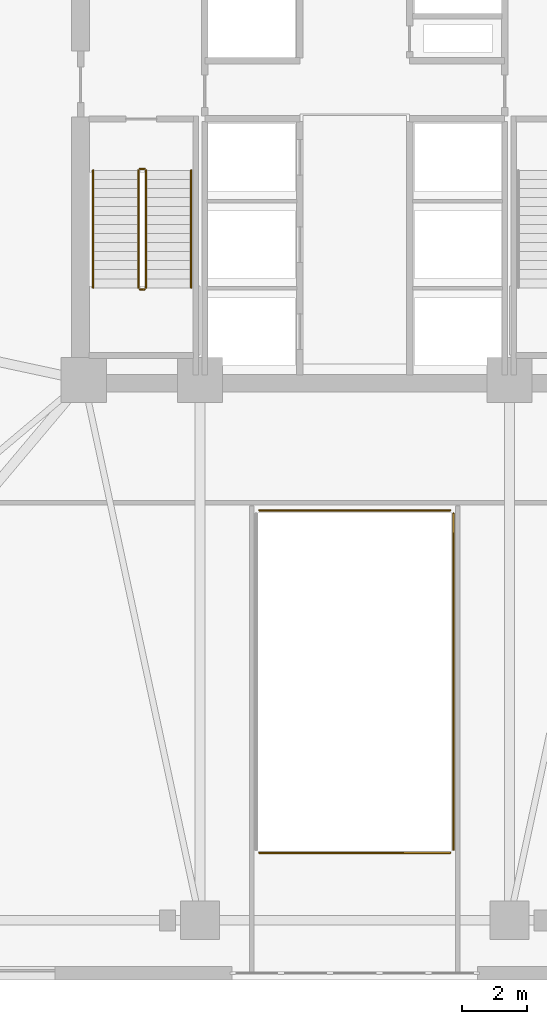
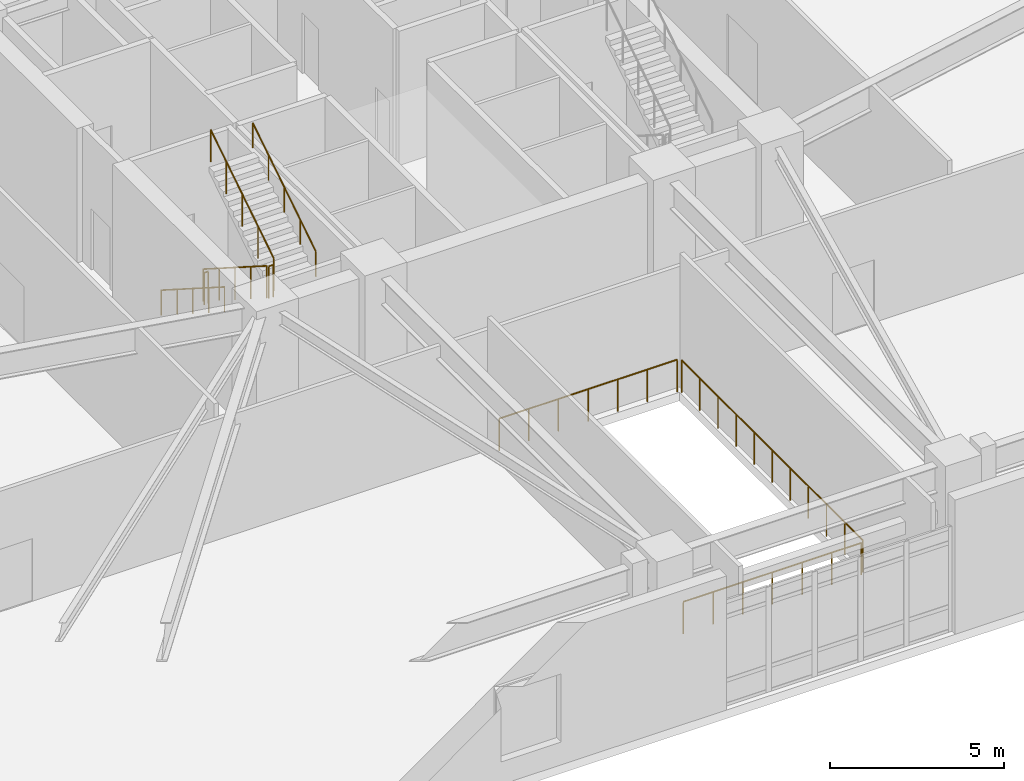
# One storey, part 16 of 20: 9 railings.
"""IFC4 building model written with IfcOpenShell, lengths in metres."""

from ifc_helpers import new_model, si_unit, direction, frame, origin, origin_2d, place, context, subcontext, project, spatial, circle, extrude, material, type_object, element, save


model = new_model("IFC4")

# Units and contexts
model_context = context("Model", 3, precision=1e-05, world=origin(), true_north=direction((0.0, 1.0)))
body_context = subcontext(model_context, "Body", "Model", "MODEL_VIEW")
ifc_project = project(units=[si_unit("LENGTHUNIT", "METRE"), si_unit("AREAUNIT", "SQUARE_METRE"), si_unit("VOLUMEUNIT", "CUBIC_METRE"), si_unit("PLANEANGLEUNIT", "RADIAN"), si_unit("MASSUNIT", "GRAM", prefix="KILO")], contexts=[model_context])

# Site, building, storey
site_placement = place(None, origin())
site = spatial("IfcSite", under=ifc_project, at=site_placement, CompositionType="ELEMENT")
building_placement = place(site_placement, origin())
building = spatial("IfcBuilding", under=site, at=building_placement, Name="Cairnveth Concourse Tower", CompositionType="ELEMENT")
storey_placement = place(building_placement, frame((0.0, 0.0, 5.0)))
storey = spatial("IfcBuildingStorey", under=building, at=storey_placement, Name="L01", CompositionType="ELEMENT", Elevation=5.0)

# Railings
ifc_material_1 = material(Name="Architectural Bronze Anodised Aluminium 6063-T6", Category="aluminium")
railing_type_1 = type_object("IfcRailingType", Name="ATRIUM BRONZE BALUSTRADE 1150", PredefinedType="BALUSTRADE", material=ifc_material_1)
railing_1_placement = place(storey_placement, frame((49.0400390625, 15.93994140625, 0.0)))
element("IfcRailing", 1, at=railing_1_placement, inside=storey, type_object=railing_type_1, Name="Concourse Galleria Mezzanine Balustrade S L01", PredefinedType="BALUSTRADE", context=body_context, shape_type="SweptSolid", body=[
    extrude(circle(Radius=0.02490234375, at=origin_2d()), frame((0.0, 0.0, 1.125), z_axis=(1.0, 0.0, 0.0), x_axis=(0.0, 1.0, 0.0)), (0.0, 0.0, 1.0), 5.919921875),
    extrude(circle(Radius=0.02099609375, at=origin_2d()), origin(), (0.0, 0.0, 1.0), 1.099853515625),
    extrude(circle(Radius=0.02099609375, at=origin_2d()), frame((0.986572265625, 0.0, 0.0)), (0.0, 0.0, 1.0), 1.099853515625),
    extrude(circle(Radius=0.02099609375, at=origin_2d()), frame((1.973388671875, 0.0, 0.0)), (0.0, 0.0, 1.0), 1.099853515625),
    extrude(circle(Radius=0.02099609375, at=origin_2d()), frame((2.9599609375, 0.0, 0.0)), (0.0, 0.0, 1.0), 1.099853515625),
    extrude(circle(Radius=0.02099609375, at=origin_2d()), frame((3.946533203125, 0.0, 0.0)), (0.0, 0.0, 1.0), 1.099853515625),
    extrude(circle(Radius=0.02099609375, at=origin_2d()), frame((4.933349609375, 0.0, 0.0)), (0.0, 0.0, 1.0), 1.099853515625),
    extrude(circle(Radius=0.02099609375, at=origin_2d()), frame((5.919921875, 0.0, 0.0)), (0.0, 0.0, 1.0), 1.099853515625),
])
railing_2_placement = place(storey_placement, frame((55.06005859375, 16.0400390625, 0.0)))
element("IfcRailing", 2, at=railing_2_placement, inside=storey, type_object=railing_type_1, Name="Concourse Galleria Mezzanine Balustrade E L01", PredefinedType="BALUSTRADE", context=body_context, shape_type="SweptSolid", body=[
    extrude(circle(Radius=0.02490234375, at=origin_2d()), frame((0.0, 0.0, 1.125), z_axis=(0.0, 1.0, 0.0), x_axis=(-1.0, 0.0, 0.0)), (0.0, 0.0, 1.0), 10.419921875),
    extrude(circle(Radius=0.02099609375, at=origin_2d()), origin(), (0.0, 0.0, 1.0), 1.099853515625),
    extrude(circle(Radius=0.02099609375, at=origin_2d()), frame((0.0, 1.0419921875, 0.0)), (0.0, 0.0, 1.0), 1.099853515625),
    extrude(circle(Radius=0.02099609375, at=origin_2d()), frame((0.0, 2.083984375, 0.0)), (0.0, 0.0, 1.0), 1.099853515625),
    extrude(circle(Radius=0.02099609375, at=origin_2d()), frame((0.0, 3.1259765625, 0.0)), (0.0, 0.0, 1.0), 1.099853515625),
    extrude(circle(Radius=0.02099609375, at=origin_2d()), frame((0.0, 4.16796875, 0.0)), (0.0, 0.0, 1.0), 1.099853515625),
    extrude(circle(Radius=0.02099609375, at=origin_2d()), frame((0.0, 5.2099609375, 0.0)), (0.0, 0.0, 1.0), 1.099853515625),
    extrude(circle(Radius=0.02099609375, at=origin_2d()), frame((0.0, 6.251953125, 0.0)), (0.0, 0.0, 1.0), 1.099853515625),
    extrude(circle(Radius=0.02099609375, at=origin_2d()), frame((0.0, 7.2939453125, 0.0)), (0.0, 0.0, 1.0), 1.099853515625),
    extrude(circle(Radius=0.02099609375, at=origin_2d()), frame((0.0, 8.3359375, 0.0)), (0.0, 0.0, 1.0), 1.099853515625),
    extrude(circle(Radius=0.02099609375, at=origin_2d()), frame((0.0, 9.3779296875, 0.0)), (0.0, 0.0, 1.0), 1.099853515625),
    extrude(circle(Radius=0.02099609375, at=origin_2d()), frame((0.0, 10.419921875, 0.0)), (0.0, 0.0, 1.0), 1.099853515625),
])
railing_3_placement = place(storey_placement, frame((54.9599609375, 26.56005859375, 0.0)))
element("IfcRailing", 3, at=railing_3_placement, inside=storey, type_object=railing_type_1, Name="Concourse Galleria Mezzanine Balustrade N L01", PredefinedType="BALUSTRADE", context=body_context, shape_type="SweptSolid", body=[
    extrude(circle(Radius=0.02490234375, at=origin_2d()), frame((0.0, 0.0, 1.125), z_axis=(-1.0, 0.0, 0.0), x_axis=(0.0, -1.0, 0.0)), (0.0, 0.0, 1.0), 5.919921875),
    extrude(circle(Radius=0.02099609375, at=origin_2d()), origin(), (0.0, 0.0, 1.0), 1.099853515625),
    extrude(circle(Radius=0.02099609375, at=origin_2d()), frame((-0.986572265625, 0.0, 0.0)), (0.0, 0.0, 1.0), 1.099853515625),
    extrude(circle(Radius=0.02099609375, at=origin_2d()), frame((-1.973388671875, 0.0, 0.0)), (0.0, 0.0, 1.0), 1.099853515625),
    extrude(circle(Radius=0.02099609375, at=origin_2d()), frame((-2.9599609375, 0.0, 0.0)), (0.0, 0.0, 1.0), 1.099853515625),
    extrude(circle(Radius=0.02099609375, at=origin_2d()), frame((-3.946533203125, 0.0, 0.0)), (0.0, 0.0, 1.0), 1.099853515625),
    extrude(circle(Radius=0.02099609375, at=origin_2d()), frame((-4.933349609375, 0.0, 0.0)), (0.0, 0.0, 1.0), 1.099853515625),
    extrude(circle(Radius=0.02099609375, at=origin_2d()), frame((-5.919921875, 0.0, 0.0)), (0.0, 0.0, 1.0), 1.099853515625),
])
ifc_material_2 = material(Name="Steel Grade 350", Category="steel")
railing_type_2 = type_object("IfcRailingType", Name="STAIR GUARDRAIL 1150", PredefinedType="GUARDRAIL", material=ifc_material_2)
railing_4_placement = place(storey_placement, frame((45.2900390625, 37.10009765625, 0.178466796875)))
element("IfcRailing", 4, at=railing_4_placement, inside=storey, type_object=railing_type_2, Name="L01 ST-1 stair guard 1", PredefinedType="GUARDRAIL", context=body_context, shape_type="SweptSolid", body=[
    extrude(circle(Radius=0.02392578125, at=origin_2d()), frame((0.0, 0.0, 1.1259765625), z_axis=(0.0, -0.843127859045, 0.537713132908), x_axis=(1.0, 0.0, 0.0)), (0.0, 0.0, 1.0), 4.3173828125),
    extrude(circle(Radius=0.02099609375, at=origin_2d()), origin(), (0.0, 0.0, 1.0), 1.101806640625),
    extrude(circle(Radius=0.02099609375, at=origin_2d()), frame((0.0, -0.91015625, 0.580322265625)), (0.0, 0.0, 1.0), 1.101806640625),
    extrude(circle(Radius=0.02099609375, at=origin_2d()), frame((0.0, -1.820068359375, 1.16064453125)), (0.0, 0.0, 1.0), 1.101806640625),
    extrude(circle(Radius=0.02099609375, at=origin_2d()), frame((0.0, -2.72998046875, 1.7412109375)), (0.0, 0.0, 1.0), 1.101806640625),
    extrude(circle(Radius=0.02099609375, at=origin_2d()), frame((0.0, -3.64013671875, 2.321533203125)), (0.0, 0.0, 1.0), 1.101806640625),
])
railing_5_placement = place(storey_placement, frame((45.340087890625, 33.409912109375, 2.5)))
element("IfcRailing", 5, at=railing_5_placement, inside=storey, type_object=railing_type_2, Name="L01 ST-1 stair guard 2", PredefinedType="GUARDRAIL", context=body_context, shape_type="SweptSolid", body=[
    extrude(circle(Radius=0.02392578125, at=origin_2d()), frame((0.0, 0.0, 1.1259765625), z_axis=(1.0, 0.0, 0.0), x_axis=(0.0, 1.0, 0.0)), (0.0, 0.0, 1.0), 0.139892578125),
    extrude(circle(Radius=0.02099609375, at=origin_2d()), origin(), (0.0, 0.0, 1.0), 1.101806640625),
    extrude(circle(Radius=0.02099609375, at=origin_2d()), frame((0.139892578125, 0.0, 0.0)), (0.0, 0.0, 1.0), 1.101806640625),
])
railing_6_placement = place(storey_placement, frame((45.530029296875, 33.4599609375, 2.678466796875)))
element("IfcRailing", 6, at=railing_6_placement, inside=storey, type_object=railing_type_2, Name="L01 ST-1 stair guard 3", PredefinedType="GUARDRAIL", context=body_context, shape_type="SweptSolid", body=[
    extrude(circle(Radius=0.02392578125, at=origin_2d()), frame((0.0, 0.0, 1.1259765625), z_axis=(0.0, 0.843127859045, 0.537713132908), x_axis=(-1.0, 0.0, 0.0)), (0.0, 0.0, 1.0), 4.3173828125),
    extrude(circle(Radius=0.02099609375, at=origin_2d()), origin(), (0.0, 0.0, 1.0), 1.101806640625),
    extrude(circle(Radius=0.02099609375, at=origin_2d()), frame((0.0, 0.91015625, 0.580322265625)), (0.0, 0.0, 1.0), 1.101806640625),
    extrude(circle(Radius=0.02099609375, at=origin_2d()), frame((0.0, 1.820068359375, 1.16064453125)), (0.0, 0.0, 1.0), 1.101806640625),
    extrude(circle(Radius=0.02099609375, at=origin_2d()), frame((0.0, 2.72998046875, 1.7412109375)), (0.0, 0.0, 1.0), 1.101806640625),
    extrude(circle(Radius=0.02099609375, at=origin_2d()), frame((0.0, 3.64013671875, 2.321533203125)), (0.0, 0.0, 1.0), 1.101806640625),
])
railing_7_placement = place(storey_placement, frame((45.340087890625, 37.14990234375, 0.0)))
element("IfcRailing", 7, at=railing_7_placement, inside=storey, type_object=railing_type_2, Name="L01 ST-1 stair guard 4", PredefinedType="GUARDRAIL", context=body_context, shape_type="SweptSolid", body=[
    extrude(circle(Radius=0.02392578125, at=origin_2d()), frame((0.0, 0.0, 1.1259765625), z_axis=(1.0, 0.0, 0.0), x_axis=(0.0, 1.0, 0.0)), (0.0, 0.0, 1.0), 0.139892578125),
    extrude(circle(Radius=0.02099609375, at=origin_2d()), origin(), (0.0, 0.0, 1.0), 1.101806640625),
    extrude(circle(Radius=0.02099609375, at=origin_2d()), frame((0.139892578125, 0.0, 0.0)), (0.0, 0.0, 1.0), 1.101806640625),
])
railing_type_3 = type_object("IfcRailingType", Name="STAIR WALL HANDRAIL 900", PredefinedType="HANDRAIL", material=ifc_material_2)
railing_8_placement = place(storey_placement, frame((43.889892578125, 37.10009765625, 0.178466796875)))
element("IfcRailing", 8, at=railing_8_placement, inside=storey, type_object=railing_type_3, Name="L01 ST-1 stair handrail 1", PredefinedType="HANDRAIL", context=body_context, shape_type="SweptSolid", body=[
    extrude(circle(Radius=0.02392578125, at=origin_2d()), frame((0.0, 0.0, 0.8759765625), z_axis=(0.0, -0.843127859045, 0.537713132908), x_axis=(1.0, 0.0, 0.0)), (0.0, 0.0, 1.0), 4.3173828125),
    extrude(circle(Radius=0.02099609375, at=origin_2d()), origin(), (0.0, 0.0, 1.0), 0.851806640625),
    extrude(circle(Radius=0.02099609375, at=origin_2d()), frame((0.0, -0.91015625, 0.580322265625)), (0.0, 0.0, 1.0), 0.851806640625),
    extrude(circle(Radius=0.02099609375, at=origin_2d()), frame((0.0, -1.820068359375, 1.16064453125)), (0.0, 0.0, 1.0), 0.851806640625),
    extrude(circle(Radius=0.02099609375, at=origin_2d()), frame((0.0, -2.72998046875, 1.7412109375)), (0.0, 0.0, 1.0), 0.851806640625),
    extrude(circle(Radius=0.02099609375, at=origin_2d()), frame((0.0, -3.64013671875, 2.321533203125)), (0.0, 0.0, 1.0), 0.851806640625),
])
railing_9_placement = place(storey_placement, frame((46.929931640625, 33.4599609375, 2.678466796875)))
element("IfcRailing", 9, at=railing_9_placement, inside=storey, type_object=railing_type_3, Name="L01 ST-1 stair handrail 2", PredefinedType="HANDRAIL", context=body_context, shape_type="SweptSolid", body=[
    extrude(circle(Radius=0.02392578125, at=origin_2d()), frame((0.0, 0.0, 0.8759765625), z_axis=(0.0, 0.843127859045, 0.537713132908), x_axis=(-1.0, 0.0, 0.0)), (0.0, 0.0, 1.0), 4.3173828125),
    extrude(circle(Radius=0.02099609375, at=origin_2d()), origin(), (0.0, 0.0, 1.0), 0.851806640625),
    extrude(circle(Radius=0.02099609375, at=origin_2d()), frame((0.0, 0.91015625, 0.580322265625)), (0.0, 0.0, 1.0), 0.851806640625),
    extrude(circle(Radius=0.02099609375, at=origin_2d()), frame((0.0, 1.820068359375, 1.16064453125)), (0.0, 0.0, 1.0), 0.851806640625),
    extrude(circle(Radius=0.02099609375, at=origin_2d()), frame((0.0, 2.72998046875, 1.7412109375)), (0.0, 0.0, 1.0), 0.851806640625),
    extrude(circle(Radius=0.02099609375, at=origin_2d()), frame((0.0, 3.64013671875, 2.321533203125)), (0.0, 0.0, 1.0), 0.851806640625),
])

save(model, "model.ifc")
